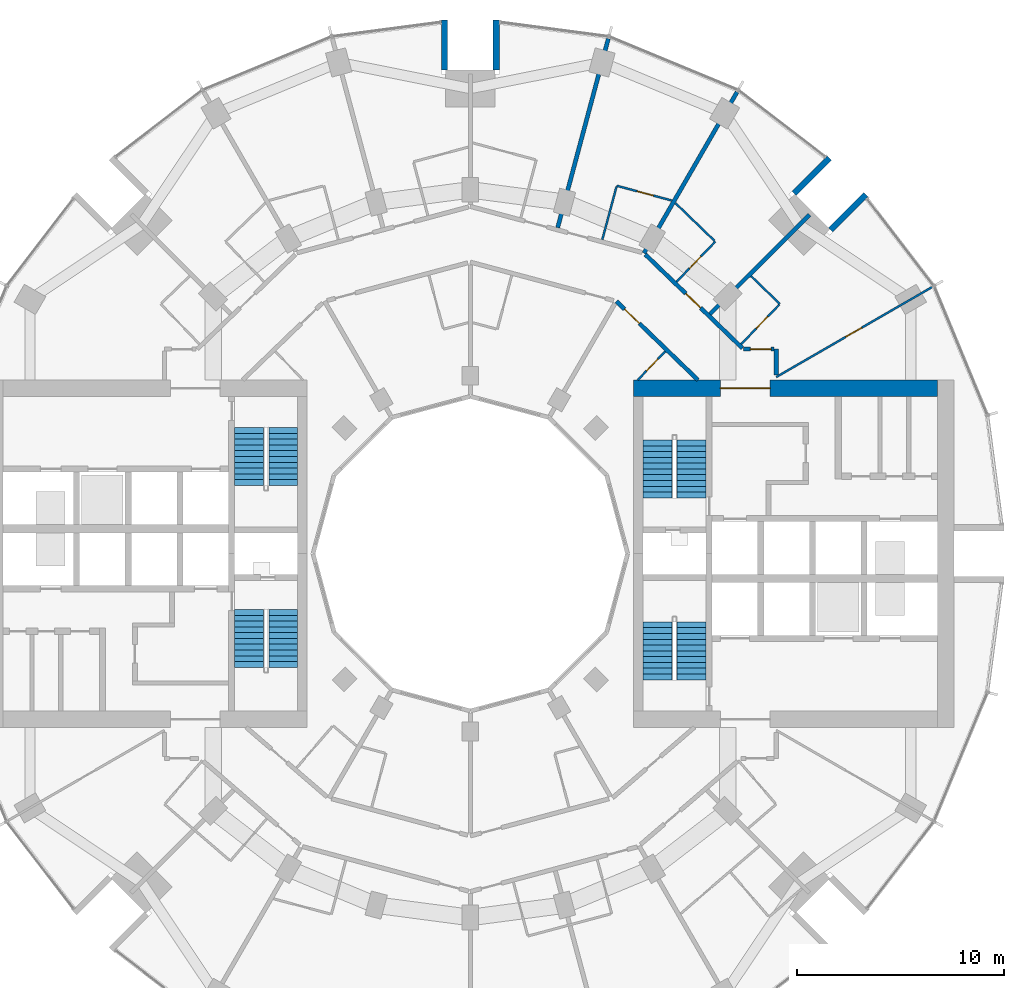
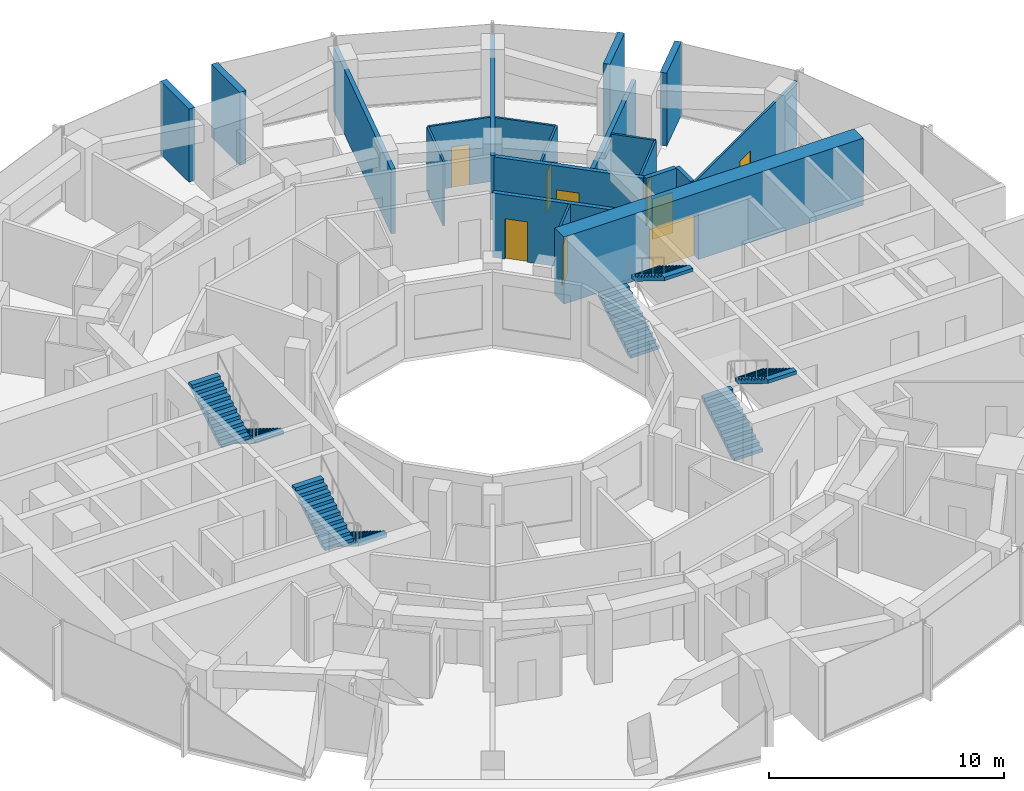
# One storey, part 13 of 15: 20 walls, 9 doors, 8 stair flights, 9 openings, 4 elements without a shape of their own.
"""IFC4 building model written with IfcOpenShell, lengths in metres."""

from ifc_helpers import new_model, si_unit, direction, frame, frame_2d, origin, place, context, subcontext, project, spatial, polyline, rectangle, outline, extrude, material, layer, layer_set, type_object, element, fill, aggregate, save


model = new_model("IFC4")

# Units and contexts
model_context = context("Model", 3, precision=1e-05, world=origin(), true_north=direction((0.0, 1.0)))
body_context = subcontext(model_context, "Body", "Model", "MODEL_VIEW")
ifc_project = project(units=[si_unit("LENGTHUNIT", "METRE"), si_unit("AREAUNIT", "SQUARE_METRE"), si_unit("VOLUMEUNIT", "CUBIC_METRE"), si_unit("PLANEANGLEUNIT", "RADIAN"), si_unit("MASSUNIT", "GRAM", prefix="KILO")], contexts=[model_context])

# Site, building, storey
site_placement = place(None, origin())
site = spatial("IfcSite", under=ifc_project, at=site_placement, CompositionType="ELEMENT")
building_placement = place(site_placement, origin())
building = spatial("IfcBuilding", under=site, at=building_placement, Name="Torre Brocal", CompositionType="ELEMENT")
storey_placement = place(building_placement, frame((0.0, 0.0, 32.60009765625)))
storey = spatial("IfcBuildingStorey", under=building, at=storey_placement, Name="L06", CompositionType="ELEMENT", Elevation=32.60009765625)

# Wall, opening, door
ifc_material_1 = material(Name="Concrete C80", Category="concrete")
ifc_layer_1 = layer(ifc_material_1, 0.800048828125)
ifc_layer_set_1 = layer_set([ifc_layer_1], Name="Concrete C80")
wall_type_1 = type_object("IfcWallType", Name="CORE WALL 800 C80", PredefinedType="SHEAR", material=ifc_layer_set_1)
wall_1_placement = place(storey_placement, frame((87.89990234375, 83.0, 0.0), z_axis=(0.0, 0.0, 1.0), x_axis=(1.0, 0.0, 0.0)))
wall_1 = element("IfcWall", 1, at=wall_1_placement, inside=storey, type_object=wall_type_1, Name="Wall CW800-80", PredefinedType="SHEAR", context=body_context, shape_type="SweptSolid", body=[
    extrude(rectangle(XDim=14.7001953125, YDim=0.800048828125, at=frame_2d((7.35009765625, 0.0))), origin(), (0.0, 0.0, 1.0), 3.47998046875),
])
opening_1_placement = place(wall_1_placement, frame((4.199951171875, 0.0, 0.0)))
opening_1 = element("IfcOpeningElement", 2, at=opening_1_placement, cuts=wall_1, Name="Opening E-D27", PredefinedType="OPENING", context=body_context, shape_type="SweptSolid", body=[
    extrude(rectangle(XDim=2.39990234375, YDim=2.39990234375, at=frame_2d((1.199951171875, 1.199951171875))), frame((0.0, 0.409912109375, 0.0), z_axis=(0.0, -1.0, 0.0), x_axis=(1.0, 0.0, 0.0)), (0.0, 0.0, 1.0), 0.820068359375),
])
ifc_material_2 = material(Name="Steel A653", Category="steel")
door_type_1 = type_object("IfcDoorType", Name="DOUBLE FIRE DOOR FD90 2400X2400", OperationType="DOUBLE_DOOR_SINGLE_SWING", PredefinedType="DOOR", material=ifc_material_2)
door_1_placement = place(opening_1_placement, frame((2.39990234375, 0.0, 0.0), z_axis=(0.0, 0.0, 1.0), x_axis=(-1.0, 0.0, 0.0)))
door_1 = element("IfcDoor", 3, at=door_1_placement, inside=storey, type_object=door_type_1, Name="Door E-D27", OperationType="DOUBLE_DOOR_SINGLE_SWING", OverallHeight=2.39990234375, OverallWidth=2.39990234375, PredefinedType="DOOR", context=body_context, shape_type="SweptSolid", body=[
    extrude(rectangle(XDim=2.39990234375, YDim=2.39990234375, at=frame_2d((1.199951171875, 1.199951171875))), frame((0.0, 0.02490234375, 0.0), z_axis=(0.0, -1.0, 0.0), x_axis=(1.0, 0.0, 0.0)), (0.0, 0.0, 1.0), 0.050048828125),
])
fill(opening_1, door_1)

# Walls
ifc_material_3 = material(Name="Concrete C80", Category="concrete")
ifc_layer_2 = layer(ifc_material_3, 0.300048828125)
ifc_layer_set_2 = layer_set([ifc_layer_2], Name="Concrete C80")
wall_type_2 = type_object("IfcWallType", Name="NOTCH RETURN WALL 300 C80", PredefinedType="NOTDEFINED", material=ifc_layer_set_2)
for number, where, z_axis, x_axis, name in (
    (4, (97.43017578125, 90.662353515625, 0.0), (0.0, 0.0, 1.0), (0.707106781187, 0.707106781187, 0.0), "NOTCH RETURN WALL"),
    (5, (95.662353515625, 92.43017578125, 0.0), (0.0, 0.0, 1.0), (0.707106781187, 0.707106781187, 0.0), "NOTCH RETURN WALL"),
    (6, (81.25, 98.39990234375, 0.0), (0.0, 0.0, 1.0), (0.0, 1.0, 0.0), "NOTCH RETURN WALL"),
    (7, (78.75, 98.39990234375, 0.0), (0.0, 0.0, 1.0), (0.0, 1.0, 0.0), "NOTCH RETURN WALL"),
):
    element("IfcWall", number, at=place(storey_placement, frame(where, z_axis=z_axis, x_axis=x_axis)), inside=storey, type_object=wall_type_2, Name=name, PredefinedType="NOTDEFINED", context=body_context, shape_type="SweptSolid", body=[
        extrude(rectangle(XDim=2.415771484375, YDim=0.300048828125, at=frame_2d((1.2080078125, 0.0))), origin(), (0.0, 0.0, 1.0), 3.7998046875),
    ])
ifc_material_4 = material(Name="Gypsum board", Category="Gypsum")
ifc_layer_3 = layer(ifc_material_4, 0.10009765625)
ifc_layer_set_3 = layer_set([ifc_layer_3], Name="Gypsum board")
wall_type_3 = type_object("IfcWallType", Name="PARTITION 100", PredefinedType="PARTITIONING", material=ifc_layer_set_3)
wall_2_placement = place(storey_placement, frame((86.3837890625, 90.189697265625, 0.0), z_axis=(0.0, 0.0, 1.0), x_axis=(0.258677737588, 0.965963678446, 0.0)))
element("IfcWall", 8, at=wall_2_placement, inside=storey, type_object=wall_type_3, Name="BATHROOM WALL", PredefinedType="PARTITIONING", context=body_context, shape_type="SweptSolid", body=[
    extrude(rectangle(XDim=2.649169921875, YDim=0.10009765625, at=frame_2d((1.32470703125, 0.0))), origin(), (0.0, 0.0, 1.0), 3.349853515625),
])

# Wall, opening, door
wall_3_placement = place(storey_placement, frame((87.08203125, 92.797119140625, 0.0), z_axis=(0.0, 0.0, 1.0), x_axis=(0.965926679745, -0.258815859939, 0.0)))
wall_3 = element("IfcWall", 9, at=wall_3_placement, inside=storey, type_object=wall_type_3, Name="BATHROOM WALL", PredefinedType="PARTITIONING", context=body_context, shape_type="SweptSolid", body=[
    extrude(rectangle(XDim=2.75341796875, YDim=0.10009765625, at=frame_2d((1.376708984375, 0.0))), origin(), (0.0, 0.0, 1.0), 3.349853515625),
])
opening_2_placement = place(wall_3_placement, frame((1.03173828125, 0.0, 0.0)))
opening_2 = element("IfcOpeningElement", 10, at=opening_2_placement, cuts=wall_3, Name="Opening H01-D07", PredefinedType="OPENING", context=body_context, shape_type="SweptSolid", body=[
    extrude(rectangle(XDim=0.800048828125, YDim=2.10009765625, at=frame_2d((0.39990234375, 1.050048828125))), frame((0.0, 0.06005859375, 0.0), z_axis=(0.0, -1.0, 0.0), x_axis=(1.0, 0.0, 0.0)), (0.0, 0.0, 1.0), 0.1201171875),
])
ifc_material_5 = material(Name="Timber", Category="wood")
door_type_2 = type_object("IfcDoorType", Name="BATHROOM DOOR 800X2100", OperationType="SINGLE_SWING_LEFT", PredefinedType="DOOR", material=ifc_material_5)
door_2_placement = place(opening_2_placement, frame((0.800048828125, 0.0, 0.0), z_axis=(0.0, 0.0, 1.0), x_axis=(-1.0, 0.0, 0.0)))
door_2 = element("IfcDoor", 11, at=door_2_placement, inside=storey, type_object=door_type_2, Name="H01-D07", OperationType="SINGLE_SWING_LEFT", OverallHeight=2.10009765625, OverallWidth=0.800048828125, PredefinedType="DOOR", context=body_context, shape_type="SweptSolid", body=[
    extrude(rectangle(XDim=0.800048828125, YDim=2.10009765625, at=frame_2d((0.39990234375, 1.050048828125))), frame((0.0, 0.02490234375, 0.0), z_axis=(0.0, -1.0, 0.0), x_axis=(1.0, 0.0, 0.0)), (0.0, 0.0, 1.0), 0.050048828125),
])
fill(opening_2, door_2)

wall_4_placement = place(storey_placement, frame((88.094970703125, 83.39990234375, 0.0), z_axis=(0.0, 0.0, 1.0), x_axis=(0.694447472534, 0.719543402368, 0.0)))
wall_4 = element("IfcWall", 12, at=wall_4_placement, inside=storey, type_object=wall_type_3, Name="BATHROOM WALL", PredefinedType="PARTITIONING", context=body_context, shape_type="SweptSolid", body=[
    extrude(rectangle(XDim=1.92626953125, YDim=0.10009765625, at=frame_2d((0.963134765625, 0.0))), origin(), (0.0, 0.0, 1.0), 3.349853515625),
])
opening_3_placement = place(wall_4_placement, frame((0.613037109375, 0.0, 0.0)))
opening_3 = element("IfcOpeningElement", 13, at=opening_3_placement, cuts=wall_4, Name="Opening H01-D19", PredefinedType="OPENING", context=body_context, shape_type="SweptSolid", body=[
    extrude(rectangle(XDim=0.800048828125, YDim=2.10009765625, at=frame_2d((0.39990234375, 1.050048828125))), frame((0.0, 0.06005859375, 0.0), z_axis=(0.0, -1.0, 0.0), x_axis=(1.0, 0.0, 0.0)), (0.0, 0.0, 1.0), 0.1201171875),
])
door_3_placement = place(opening_3_placement, frame((0.800048828125, 0.0, 0.0), z_axis=(0.0, 0.0, 1.0), x_axis=(-1.0, 0.0, 0.0)))
door_3 = element("IfcDoor", 14, at=door_3_placement, inside=storey, type_object=door_type_2, Name="H01-D19", OperationType="SINGLE_SWING_LEFT", OverallHeight=2.10009765625, OverallWidth=0.800048828125, PredefinedType="DOOR", context=body_context, shape_type="SweptSolid", body=[
    extrude(rectangle(XDim=0.800048828125, YDim=2.10009765625, at=frame_2d((0.39990234375, 1.050048828125))), frame((0.0, 0.02490234375, 0.0), z_axis=(0.0, -1.0, 0.0), x_axis=(1.0, 0.0, 0.0)), (0.0, 0.0, 1.0), 0.050048828125),
])
fill(opening_3, door_3)

# Wall
wall_5_placement = place(storey_placement, frame((89.9248046875, 91.955810546875, 0.0), z_axis=(0.0, 0.0, 1.0), x_axis=(0.71935982196, -0.694637636865, 0.0)))
element("IfcWall", 15, at=wall_5_placement, inside=storey, type_object=wall_type_3, Name="BATHROOM WALL", PredefinedType="PARTITIONING", context=body_context, shape_type="SweptSolid", body=[
    extrude(rectangle(XDim=2.626953125, YDim=0.10009765625, at=frame_2d((1.3134765625, 0.0))), origin(), (0.0, 0.0, 1.0), 3.349853515625),
])

# Wall, opening, door
wall_6_placement = place(storey_placement, frame((89.9755859375, 88.154052734375, 0.0), z_axis=(0.0, 0.0, 1.0), x_axis=(0.6945137956, 0.719479386585, 0.0)))
wall_6 = element("IfcWall", 16, at=wall_6_placement, inside=storey, type_object=wall_type_3, Name="BATHROOM WALL", PredefinedType="PARTITIONING", context=body_context, shape_type="SweptSolid", body=[
    extrude(rectangle(XDim=2.698974609375, YDim=0.10009765625, at=frame_2d((1.349609375, 0.0))), origin(), (0.0, 0.0, 1.0), 3.349853515625),
])
opening_4_placement = place(wall_6_placement, frame((0.899658203125, 0.0, 0.0)))
opening_4 = element("IfcOpeningElement", 17, at=opening_4_placement, cuts=wall_6, Name="Opening H01-D05", PredefinedType="OPENING", context=body_context, shape_type="SweptSolid", body=[
    extrude(rectangle(XDim=0.800048828125, YDim=2.10009765625, at=frame_2d((0.39990234375, 1.050048828125))), frame((0.0, 0.06005859375, 0.0), z_axis=(0.0, -1.0, 0.0), x_axis=(1.0, 0.0, 0.0)), (0.0, 0.0, 1.0), 0.1201171875),
])
door_4_placement = place(opening_4_placement, origin())
door_4 = element("IfcDoor", 18, at=door_4_placement, inside=storey, type_object=door_type_2, Name="H01-D05", OperationType="SINGLE_SWING_LEFT", OverallHeight=2.10009765625, OverallWidth=0.800048828125, PredefinedType="DOOR", context=body_context, shape_type="SweptSolid", body=[
    extrude(rectangle(XDim=0.800048828125, YDim=2.10009765625, at=frame_2d((0.39990234375, 1.050048828125))), frame((0.0, 0.02490234375, 0.0), z_axis=(0.0, -1.0, 0.0), x_axis=(1.0, 0.0, 0.0)), (0.0, 0.0, 1.0), 0.050048828125),
])
fill(opening_4, door_4)

wall_7_placement = place(storey_placement, frame((93.1025390625, 85.135986328125, 0.0), z_axis=(0.0, 0.0, 1.0), x_axis=(0.694324808789, 0.719661767708, 0.0)))
wall_7 = element("IfcWall", 19, at=wall_7_placement, inside=storey, type_object=wall_type_3, Name="BATHROOM WALL", PredefinedType="PARTITIONING", context=body_context, shape_type="SweptSolid", body=[
    extrude(rectangle(XDim=2.64990234375, YDim=0.10009765625, at=frame_2d((1.324951171875, 0.0))), origin(), (0.0, 0.0, 1.0), 3.349853515625),
])
opening_5_placement = place(wall_7_placement, frame((1.0498046875, 0.0, 0.0)))
opening_5 = element("IfcOpeningElement", 20, at=opening_5_placement, cuts=wall_7, Name="Opening H01-D02", PredefinedType="OPENING", context=body_context, shape_type="SweptSolid", body=[
    extrude(rectangle(XDim=0.800048828125, YDim=2.10009765625, at=frame_2d((0.39990234375, 1.050048828125))), frame((0.0, 0.06005859375, 0.0), z_axis=(0.0, -1.0, 0.0), x_axis=(1.0, 0.0, 0.0)), (0.0, 0.0, 1.0), 0.1201171875),
])
door_5_placement = place(opening_5_placement, origin())
door_5 = element("IfcDoor", 21, at=door_5_placement, inside=storey, type_object=door_type_2, Name="H01-D02", OperationType="SINGLE_SWING_RIGHT", OverallHeight=2.10009765625, OverallWidth=0.800048828125, PredefinedType="DOOR", context=body_context, shape_type="SweptSolid", body=[
    extrude(rectangle(XDim=0.800048828125, YDim=2.10009765625, at=frame_2d((0.39990234375, 1.050048828125))), frame((0.0, 0.02490234375, 0.0), z_axis=(0.0, -1.0, 0.0), x_axis=(1.0, 0.0, 0.0)), (0.0, 0.0, 1.0), 0.050048828125),
])
fill(opening_5, door_5)

# Wall
wall_8_placement = place(storey_placement, frame((93.5810546875, 88.425048828125, 0.0), z_axis=(0.0, 0.0, 1.0), x_axis=(0.719336381931, -0.694661910307, 0.0)))
element("IfcWall", 22, at=wall_8_placement, inside=storey, type_object=wall_type_3, Name="BATHROOM WALL", PredefinedType="PARTITIONING", context=body_context, shape_type="SweptSolid", body=[
    extrude(rectangle(XDim=1.939208984375, YDim=0.10009765625, at=frame_2d((0.9697265625, 0.0))), origin(), (0.0, 0.0, 1.0), 3.349853515625),
])

# Wall, opening, door
wall_9_placement = place(storey_placement, frame((94.800048828125, 83.544921875, 0.0), z_axis=(0.0, 0.0, 1.0), x_axis=(0.86602264145, 0.500004784474, 0.0)))
wall_9 = element("IfcWall", 23, at=wall_9_placement, inside=storey, type_object=wall_type_3, Name="ROOM PARTITION", PredefinedType="PARTITIONING", context=body_context, shape_type="SweptSolid", body=[
    extrude(rectangle(XDim=8.7080078125, YDim=0.10009765625, at=frame_2d((4.35400390625, 0.0))), origin(), (0.0, 0.0, 1.0), 3.349853515625),
])
opening_6_placement = place(wall_9_placement, frame((3.87890625, 0.0, 0.0)))
opening_6 = element("IfcOpeningElement", 24, at=opening_6_placement, cuts=wall_9, Name="Opening H01-D03", PredefinedType="OPENING", context=body_context, shape_type="SweptSolid", body=[
    extrude(rectangle(XDim=0.89990234375, YDim=2.10009765625, at=frame_2d((0.449951171875, 1.050048828125))), frame((0.0, 0.06005859375, 0.0), z_axis=(0.0, -1.0, 0.0), x_axis=(1.0, 0.0, 0.0)), (0.0, 0.0, 1.0), 0.1201171875),
])
ifc_material_6 = material(Name="Timber", Category="wood")
door_type_3 = type_object("IfcDoorType", Name="ROOM DOOR 900X2100", OperationType="SINGLE_SWING_LEFT", PredefinedType="DOOR", material=ifc_material_6)
door_6_placement = place(opening_6_placement, frame((0.89990234375, 0.0, 0.0), z_axis=(0.0, 0.0, 1.0), x_axis=(-1.0, 0.0, 0.0)))
door_6 = element("IfcDoor", 25, at=door_6_placement, inside=storey, type_object=door_type_3, Name="H01-D03", OperationType="SINGLE_SWING_RIGHT", OverallHeight=2.10009765625, OverallWidth=0.89990234375, PredefinedType="DOOR", context=body_context, shape_type="SweptSolid", body=[
    extrude(rectangle(XDim=0.89990234375, YDim=2.10009765625, at=frame_2d((0.449951171875, 1.050048828125))), frame((0.0, 0.02490234375, 0.0), z_axis=(0.0, -1.0, 0.0), x_axis=(1.0, 0.0, 0.0)), (0.0, 0.0, 1.0), 0.050048828125),
])
fill(opening_6, door_6)

# Wall
ifc_material_7 = material(Name="Gypsum board", Category="Gypsum")
ifc_layer_4 = layer(ifc_material_7, 0.199951171875)
ifc_layer_set_4 = layer_set([ifc_layer_4], Name="Gypsum board")
wall_type_4 = type_object("IfcWallType", Name="PARTITION 200 EI60", PredefinedType="PARTITIONING", material=ifc_layer_set_4)
wall_10_placement = place(storey_placement, frame((84.224853515625, 90.767578125, 0.0), z_axis=(0.0, 0.0, 1.0), x_axis=(0.258817230439, 0.965926312525, 0.0)))
element("IfcWall", 26, at=wall_10_placement, inside=storey, type_object=wall_type_4, Name="PARTY PARTITION", PredefinedType="PARTITIONING", context=body_context, shape_type="SweptSolid", body=[
    extrude(rectangle(XDim=9.474365234375, YDim=0.199951171875, at=frame_2d((4.7373046875, 0.0))), origin(), (0.0, 0.0, 1.0), 3.349853515625),
])

# Wall, opening, door
wall_11_placement = place(storey_placement, frame((87.06396484375, 87.2109375, 0.0), z_axis=(0.0, 0.0, 1.0), x_axis=(0.719540958932, -0.694450004262, 0.0)))
wall_11 = element("IfcWall", 27, at=wall_11_placement, inside=storey, type_object=wall_type_4, Name="GUESTROOM CORRIDOR WALL", PredefinedType="PARTITIONING", context=body_context, shape_type="SweptSolid", body=[
    extrude(rectangle(XDim=5.48779296875, YDim=0.199951171875, at=frame_2d((2.743896484375, 0.0))), origin(), (0.0, 0.0, 1.0), 3.349853515625),
])
opening_7_placement = place(wall_11_placement, frame((0.550048828125, 0.0, 0.0)))
opening_7 = element("IfcOpeningElement", 28, at=opening_7_placement, cuts=wall_11, Name="Opening H01-D18", PredefinedType="OPENING", context=body_context, shape_type="SweptSolid", body=[
    extrude(rectangle(XDim=1.0, YDim=2.10009765625, at=frame_2d((0.5, 1.050048828125))), frame((0.0, 0.10986328125, 0.0), z_axis=(0.0, -1.0, 0.0), x_axis=(1.0, 0.0, 0.0)), (0.0, 0.0, 1.0), 0.219970703125),
])
ifc_material_8 = material(Name="Timber", Category="wood")
door_type_4 = type_object("IfcDoorType", Name="FLAT ENTRY DOOR FD30S 1000X2100", OperationType="SINGLE_SWING_RIGHT", PredefinedType="DOOR", material=ifc_material_8)
door_7_placement = place(opening_7_placement, frame((1.0, 0.0, 0.0), z_axis=(0.0, 0.0, 1.0), x_axis=(-1.0, 0.0, 0.0)))
door_7 = element("IfcDoor", 29, at=door_7_placement, inside=storey, type_object=door_type_4, Name="H01-D18", OperationType="SINGLE_SWING_RIGHT", OverallHeight=2.10009765625, OverallWidth=1.0, PredefinedType="DOOR", context=body_context, shape_type="SweptSolid", body=[
    extrude(rectangle(XDim=1.0, YDim=2.10009765625, at=frame_2d((0.5, 1.050048828125))), frame((0.0, 0.02490234375, 0.0), z_axis=(0.0, -1.0, 0.0), x_axis=(1.0, 0.0, 0.0)), (0.0, 0.0, 1.0), 0.050048828125),
])
fill(opening_7, door_7)

wall_12_placement = place(storey_placement, frame((88.46533203125, 89.472900390625, 0.0), z_axis=(0.0, 0.0, 1.0), x_axis=(0.719457552421, -0.694536413922, 0.0)))
wall_12 = element("IfcWall", 30, at=wall_12_placement, inside=storey, type_object=wall_type_4, Name="GUESTROOM CORRIDOR WALL", PredefinedType="PARTITIONING", context=body_context, shape_type="SweptSolid", body=[
    extrude(rectangle(XDim=6.5244140625, YDim=0.199951171875, at=frame_2d((3.26220703125, 0.0))), origin(), (0.0, 0.0, 1.0), 3.349853515625),
])
opening_8_placement = place(wall_12_placement, frame((2.718505859375, 0.0, 0.0)))
opening_8 = element("IfcOpeningElement", 31, at=opening_8_placement, cuts=wall_12, Name="Opening H01-D04", PredefinedType="OPENING", context=body_context, shape_type="SweptSolid", body=[
    extrude(rectangle(XDim=1.0, YDim=2.10009765625, at=frame_2d((0.5, 1.050048828125))), frame((0.0, 0.10986328125, 0.0), z_axis=(0.0, -1.0, 0.0), x_axis=(1.0, 0.0, 0.0)), (0.0, 0.0, 1.0), 0.219970703125),
])
door_8_placement = place(opening_8_placement, origin())
door_8 = element("IfcDoor", 32, at=door_8_placement, inside=storey, type_object=door_type_4, Name="H01-D04", OperationType="SINGLE_SWING_RIGHT", OverallHeight=2.10009765625, OverallWidth=1.0, PredefinedType="DOOR", context=body_context, shape_type="SweptSolid", body=[
    extrude(rectangle(XDim=1.0, YDim=2.10009765625, at=frame_2d((0.5, 1.050048828125))), frame((0.0, 0.02490234375, 0.0), z_axis=(0.0, -1.0, 0.0), x_axis=(1.0, 0.0, 0.0)), (0.0, 0.0, 1.0), 0.050048828125),
])
fill(opening_8, door_8)

# Walls
wall_13_placement = place(storey_placement, frame((88.39990234375, 89.53759765625, 0.0), z_axis=(0.0, 0.0, 1.0), x_axis=(0.5002401188, 0.865886726739, 0.0)))
element("IfcWall", 33, at=wall_13_placement, inside=storey, type_object=wall_type_4, Name="BATHROOM WALL", PredefinedType="PARTITIONING", context=body_context, shape_type="SweptSolid", body=[
    extrude(rectangle(XDim=9.0078125, YDim=0.199951171875, at=frame_2d((4.50390625, 0.0))), origin(), (0.0, 0.0, 1.0), 3.349853515625),
])
wall_14_placement = place(storey_placement, frame((91.594482421875, 86.59130859375, 0.0), z_axis=(0.0, 0.0, 1.0), x_axis=(0.707214399597, 0.706999146394, 0.0)))
element("IfcWall", 34, at=wall_14_placement, inside=storey, type_object=wall_type_4, Name="BATHROOM WALL", PredefinedType="PARTITIONING", context=body_context, shape_type="SweptSolid", body=[
    extrude(rectangle(XDim=6.80517578125, YDim=0.199951171875, at=frame_2d((3.402587890625, 0.0))), origin(), (0.0, 0.0, 1.0), 3.349853515625),
])

# Wall, opening, door
wall_15_placement = place(storey_placement, frame((93.202880859375, 84.89990234375, 0.0), z_axis=(0.0, 0.0, 1.0), x_axis=(1.0, 0.0, 0.0)))
wall_15 = element("IfcWall", 35, at=wall_15_placement, inside=storey, type_object=wall_type_4, Name="GUESTROOM CORRIDOR WALL", PredefinedType="PARTITIONING", context=body_context, shape_type="SweptSolid", body=[
    extrude(rectangle(XDim=1.4970703125, YDim=0.199951171875, at=frame_2d((0.74853515625, 0.0))), origin(), (0.0, 0.0, 1.0), 3.349853515625),
])
opening_9_placement = place(wall_15_placement, frame((0.346923828125, 0.0, 0.0)))
opening_9 = element("IfcOpeningElement", 36, at=opening_9_placement, cuts=wall_15, Name="Opening H01-D01", PredefinedType="OPENING", context=body_context, shape_type="SweptSolid", body=[
    extrude(rectangle(XDim=1.0, YDim=2.10009765625, at=frame_2d((0.5, 1.050048828125))), frame((0.0, 0.10986328125, 0.0), z_axis=(0.0, -1.0, 0.0), x_axis=(1.0, 0.0, 0.0)), (0.0, 0.0, 1.0), 0.219970703125),
])
door_9_placement = place(opening_9_placement, origin())
door_9 = element("IfcDoor", 37, at=door_9_placement, inside=storey, type_object=door_type_4, Name="H01-D01", OperationType="SINGLE_SWING_RIGHT", OverallHeight=2.10009765625, OverallWidth=1.0, PredefinedType="DOOR", context=body_context, shape_type="SweptSolid", body=[
    extrude(rectangle(XDim=1.0, YDim=2.10009765625, at=frame_2d((0.5, 1.050048828125))), frame((0.0, 0.02490234375, 0.0), z_axis=(0.0, -1.0, 0.0), x_axis=(1.0, 0.0, 0.0)), (0.0, 0.0, 1.0), 0.050048828125),
])
fill(opening_9, door_9)

# Wall
wall_16_placement = place(storey_placement, frame((94.800048828125, 83.64990234375, 0.0), z_axis=(0.0, 0.0, 1.0), x_axis=(0.0, 1.0, 0.0)))
element("IfcWall", 38, at=wall_16_placement, inside=storey, type_object=wall_type_4, Name="GUESTROOM CORRIDOR WALL", PredefinedType="PARTITIONING", context=body_context, shape_type="SweptSolid", body=[
    extrude(rectangle(XDim=1.25, YDim=0.199951171875, at=frame_2d((0.625, 0.0))), origin(), (0.0, 0.0, 1.0), 3.349853515625),
])

# Stair, stair flights
ifc_material_9 = material(Name="Concrete C50", Category="concrete")
stair_type = type_object("IfcStairType", Name="EXIT STAIR", PredefinedType="HALF_TURN_STAIR", material=ifc_material_9)
stair_1_placement = place(storey_placement, origin())
stair_1 = element("IfcStair", 39, at=stair_1_placement, inside=storey, type_object=stair_type, Name="EXIT STAIR ST1", PredefinedType="HALF_TURN_STAIR")
ifc_material_10 = material(Name="Concrete C50", Category="concrete")
ifc_layer_5 = layer(ifc_material_10, 0.14990234375)
ifc_layer_set_5 = layer_set([ifc_layer_5], Name="Concrete C50")
stair_flight_type = type_object("IfcStairFlightType", Name="STAIR FLIGHT", PredefinedType="STRAIGHT", material=ifc_layer_set_5)
stair_flight_1_placement = place(storey_placement, frame((89.050048828125, 77.699951171875, 0.0), z_axis=(0.0, 0.0, 1.0), x_axis=(0.0, 1.0, 0.0)))
stair_flight_1 = element("IfcStairFlight", 40, at=stair_flight_1_placement, type_object=stair_flight_type, Name="ST1 flight 1", NumberOfRisers=11, NumberOfTreads=10, PredefinedType="STRAIGHT", RiserHeight=0.172727273, TreadLength=0.28, context=body_context, shape_type="SweptSolid", body=[
    extrude(outline(polyline([(0.0, 0.0), (0.0, 0.172607421875), (0.280029296875, 0.172607421875), (0.280029296875, 0.345458984375), (0.56005859375, 0.345458984375), (0.56005859375, 0.51806640625), (0.840087890625, 0.51806640625), (0.840087890625, 0.69091796875), (1.1201171875, 0.69091796875), (1.1201171875, 0.863525390625), (1.39990234375, 0.863525390625), (1.39990234375, 1.036376953125), (1.679931640625, 1.036376953125), (1.679931640625, 1.208984375), (1.9599609375, 1.208984375), (1.9599609375, 1.3818359375), (2.239990234375, 1.3818359375), (2.239990234375, 1.554443359375), (2.52001953125, 1.554443359375), (2.52001953125, 1.727294921875), (2.800048828125, 1.727294921875), (2.800048828125, 1.89990234375), (2.800048828125, 1.551025390625), (0.285400390625, 0.0), (0.0, 0.0)])), frame((0.0, 0.699951171875, 0.0), z_axis=(0.0, -1.0, 0.0), x_axis=(1.0, 0.0, 0.0)), (0.0, 0.0, 1.0), 1.39990234375),
])
stair_flight_2_placement = place(storey_placement, frame((90.699951171875, 80.5, 1.89990234375), z_axis=(0.0, 0.0, 1.0), x_axis=(0.0, -1.0, 0.0)))
stair_flight_2 = element("IfcStairFlight", 41, at=stair_flight_2_placement, type_object=stair_flight_type, Name="ST1 flight 2", NumberOfRisers=11, NumberOfTreads=10, PredefinedType="STRAIGHT", RiserHeight=0.172727273, TreadLength=0.28, context=body_context, shape_type="SweptSolid", body=[
    extrude(outline(polyline([(0.0, 0.0), (0.0, 0.172607421875), (0.280029296875, 0.172607421875), (0.280029296875, 0.345458984375), (0.56005859375, 0.345458984375), (0.56005859375, 0.51806640625), (0.840087890625, 0.51806640625), (0.840087890625, 0.69091796875), (1.1201171875, 0.69091796875), (1.1201171875, 0.863525390625), (1.39990234375, 0.863525390625), (1.39990234375, 1.036376953125), (1.679931640625, 1.036376953125), (1.679931640625, 1.208984375), (1.9599609375, 1.208984375), (1.9599609375, 1.3818359375), (2.239990234375, 1.3818359375), (2.239990234375, 1.554443359375), (2.52001953125, 1.554443359375), (2.52001953125, 1.727294921875), (2.800048828125, 1.727294921875), (2.800048828125, 1.89990234375), (2.800048828125, 1.551025390625), (0.285400390625, 0.0), (0.0, 0.0)])), frame((0.0, 0.699951171875, 0.0), z_axis=(0.0, -1.0, 0.0), x_axis=(1.0, 0.0, 0.0)), (0.0, 0.0, 1.0), 1.39990234375),
])
aggregate(stair_1, [stair_flight_1, stair_flight_2])

stair_2_placement = place(storey_placement, origin())
stair_2 = element("IfcStair", 42, at=stair_2_placement, inside=storey, type_object=stair_type, Name="EXIT STAIR ST2", PredefinedType="HALF_TURN_STAIR")
stair_flight_3_placement = place(storey_placement, frame((89.050048828125, 68.89990234375, 0.0), z_axis=(0.0, 0.0, 1.0), x_axis=(0.0, 1.0, 0.0)))
stair_flight_3 = element("IfcStairFlight", 43, at=stair_flight_3_placement, type_object=stair_flight_type, Name="ST2 flight 1", NumberOfRisers=11, NumberOfTreads=10, PredefinedType="STRAIGHT", RiserHeight=0.172727273, TreadLength=0.28, context=body_context, shape_type="SweptSolid", body=[
    extrude(outline(polyline([(0.0, 0.0), (0.0, 0.172607421875), (0.280029296875, 0.172607421875), (0.280029296875, 0.345458984375), (0.56005859375, 0.345458984375), (0.56005859375, 0.51806640625), (0.840087890625, 0.51806640625), (0.840087890625, 0.69091796875), (1.1201171875, 0.69091796875), (1.1201171875, 0.863525390625), (1.39990234375, 0.863525390625), (1.39990234375, 1.036376953125), (1.679931640625, 1.036376953125), (1.679931640625, 1.208984375), (1.9599609375, 1.208984375), (1.9599609375, 1.3818359375), (2.239990234375, 1.3818359375), (2.239990234375, 1.554443359375), (2.52001953125, 1.554443359375), (2.52001953125, 1.727294921875), (2.800048828125, 1.727294921875), (2.800048828125, 1.89990234375), (2.800048828125, 1.551025390625), (0.285400390625, 0.0), (0.0, 0.0)])), frame((0.0, 0.699951171875, 0.0), z_axis=(0.0, -1.0, 0.0), x_axis=(1.0, 0.0, 0.0)), (0.0, 0.0, 1.0), 1.39990234375),
])
stair_flight_4_placement = place(storey_placement, frame((90.699951171875, 71.699951171875, 1.89990234375), z_axis=(0.0, 0.0, 1.0), x_axis=(0.0, -1.0, 0.0)))
stair_flight_4 = element("IfcStairFlight", 44, at=stair_flight_4_placement, type_object=stair_flight_type, Name="ST2 flight 2", NumberOfRisers=11, NumberOfTreads=10, PredefinedType="STRAIGHT", RiserHeight=0.172727273, TreadLength=0.28, context=body_context, shape_type="SweptSolid", body=[
    extrude(outline(polyline([(0.0, 0.0), (0.0, 0.172607421875), (0.280029296875, 0.172607421875), (0.280029296875, 0.345458984375), (0.56005859375, 0.345458984375), (0.56005859375, 0.51806640625), (0.840087890625, 0.51806640625), (0.840087890625, 0.69091796875), (1.1201171875, 0.69091796875), (1.1201171875, 0.863525390625), (1.39990234375, 0.863525390625), (1.39990234375, 1.036376953125), (1.679931640625, 1.036376953125), (1.679931640625, 1.208984375), (1.9599609375, 1.208984375), (1.9599609375, 1.3818359375), (2.239990234375, 1.3818359375), (2.239990234375, 1.554443359375), (2.52001953125, 1.554443359375), (2.52001953125, 1.727294921875), (2.800048828125, 1.727294921875), (2.800048828125, 1.89990234375), (2.800048828125, 1.551025390625), (0.285400390625, 0.0), (0.0, 0.0)])), frame((0.0, 0.699951171875, 0.0), z_axis=(0.0, -1.0, 0.0), x_axis=(1.0, 0.0, 0.0)), (0.0, 0.0, 1.0), 1.39990234375),
])
aggregate(stair_2, [stair_flight_3, stair_flight_4])

stair_3_placement = place(storey_placement, origin())
stair_3 = element("IfcStair", 45, at=stair_3_placement, inside=storey, type_object=stair_type, Name="EXIT STAIR ST3", PredefinedType="HALF_TURN_STAIR")
stair_flight_5_placement = place(storey_placement, frame((70.949951171875, 72.300048828125, 0.0), z_axis=(0.0, 0.0, 1.0), x_axis=(0.0, -1.0, 0.0)))
stair_flight_5 = element("IfcStairFlight", 46, at=stair_flight_5_placement, type_object=stair_flight_type, Name="ST3 flight 1", NumberOfRisers=11, NumberOfTreads=10, PredefinedType="STRAIGHT", RiserHeight=0.172727273, TreadLength=0.28, context=body_context, shape_type="SweptSolid", body=[
    extrude(outline(polyline([(0.0, 0.0), (0.0, 0.172607421875), (0.280029296875, 0.172607421875), (0.280029296875, 0.345458984375), (0.56005859375, 0.345458984375), (0.56005859375, 0.51806640625), (0.840087890625, 0.51806640625), (0.840087890625, 0.69091796875), (1.1201171875, 0.69091796875), (1.1201171875, 0.863525390625), (1.39990234375, 0.863525390625), (1.39990234375, 1.036376953125), (1.679931640625, 1.036376953125), (1.679931640625, 1.208984375), (1.9599609375, 1.208984375), (1.9599609375, 1.3818359375), (2.239990234375, 1.3818359375), (2.239990234375, 1.554443359375), (2.52001953125, 1.554443359375), (2.52001953125, 1.727294921875), (2.800048828125, 1.727294921875), (2.800048828125, 1.89990234375), (2.800048828125, 1.551025390625), (0.285400390625, 0.0), (0.0, 0.0)])), frame((0.0, 0.699951171875, 0.0), z_axis=(0.0, -1.0, 0.0), x_axis=(1.0, 0.0, 0.0)), (0.0, 0.0, 1.0), 1.39990234375),
])
stair_flight_6_placement = place(storey_placement, frame((69.300048828125, 69.5, 1.89990234375), z_axis=(0.0, 0.0, 1.0), x_axis=(0.0, 1.0, 0.0)))
stair_flight_6 = element("IfcStairFlight", 47, at=stair_flight_6_placement, type_object=stair_flight_type, Name="ST3 flight 2", NumberOfRisers=11, NumberOfTreads=10, PredefinedType="STRAIGHT", RiserHeight=0.172727273, TreadLength=0.28, context=body_context, shape_type="SweptSolid", body=[
    extrude(outline(polyline([(0.0, 0.0), (0.0, 0.172607421875), (0.280029296875, 0.172607421875), (0.280029296875, 0.345458984375), (0.56005859375, 0.345458984375), (0.56005859375, 0.51806640625), (0.840087890625, 0.51806640625), (0.840087890625, 0.69091796875), (1.1201171875, 0.69091796875), (1.1201171875, 0.863525390625), (1.39990234375, 0.863525390625), (1.39990234375, 1.036376953125), (1.679931640625, 1.036376953125), (1.679931640625, 1.208984375), (1.9599609375, 1.208984375), (1.9599609375, 1.3818359375), (2.239990234375, 1.3818359375), (2.239990234375, 1.554443359375), (2.52001953125, 1.554443359375), (2.52001953125, 1.727294921875), (2.800048828125, 1.727294921875), (2.800048828125, 1.89990234375), (2.800048828125, 1.551025390625), (0.285400390625, 0.0), (0.0, 0.0)])), frame((0.0, 0.699951171875, 0.0), z_axis=(0.0, -1.0, 0.0), x_axis=(1.0, 0.0, 0.0)), (0.0, 0.0, 1.0), 1.39990234375),
])
aggregate(stair_3, [stair_flight_5, stair_flight_6])

stair_4_placement = place(storey_placement, origin())
stair_4 = element("IfcStair", 48, at=stair_4_placement, inside=storey, type_object=stair_type, Name="EXIT STAIR ST4", PredefinedType="HALF_TURN_STAIR")
stair_flight_7_placement = place(storey_placement, frame((70.949951171875, 81.10009765625, 0.0), z_axis=(0.0, 0.0, 1.0), x_axis=(0.0, -1.0, 0.0)))
stair_flight_7 = element("IfcStairFlight", 49, at=stair_flight_7_placement, type_object=stair_flight_type, Name="ST4 flight 1", NumberOfRisers=11, NumberOfTreads=10, PredefinedType="STRAIGHT", RiserHeight=0.172727273, TreadLength=0.28, context=body_context, shape_type="SweptSolid", body=[
    extrude(outline(polyline([(0.0, 0.0), (0.0, 0.172607421875), (0.280029296875, 0.172607421875), (0.280029296875, 0.345458984375), (0.56005859375, 0.345458984375), (0.56005859375, 0.51806640625), (0.840087890625, 0.51806640625), (0.840087890625, 0.69091796875), (1.1201171875, 0.69091796875), (1.1201171875, 0.863525390625), (1.39990234375, 0.863525390625), (1.39990234375, 1.036376953125), (1.679931640625, 1.036376953125), (1.679931640625, 1.208984375), (1.9599609375, 1.208984375), (1.9599609375, 1.3818359375), (2.239990234375, 1.3818359375), (2.239990234375, 1.554443359375), (2.52001953125, 1.554443359375), (2.52001953125, 1.727294921875), (2.800048828125, 1.727294921875), (2.800048828125, 1.89990234375), (2.800048828125, 1.551025390625), (0.285400390625, 0.0), (0.0, 0.0)])), frame((0.0, 0.699951171875, 0.0), z_axis=(0.0, -1.0, 0.0), x_axis=(1.0, 0.0, 0.0)), (0.0, 0.0, 1.0), 1.39990234375),
])
stair_flight_8_placement = place(storey_placement, frame((69.300048828125, 78.300048828125, 1.89990234375), z_axis=(0.0, 0.0, 1.0), x_axis=(0.0, 1.0, 0.0)))
stair_flight_8 = element("IfcStairFlight", 50, at=stair_flight_8_placement, type_object=stair_flight_type, Name="ST4 flight 2", NumberOfRisers=11, NumberOfTreads=10, PredefinedType="STRAIGHT", RiserHeight=0.172727273, TreadLength=0.28, context=body_context, shape_type="SweptSolid", body=[
    extrude(outline(polyline([(0.0, 0.0), (0.0, 0.172607421875), (0.280029296875, 0.172607421875), (0.280029296875, 0.345458984375), (0.56005859375, 0.345458984375), (0.56005859375, 0.51806640625), (0.840087890625, 0.51806640625), (0.840087890625, 0.69091796875), (1.1201171875, 0.69091796875), (1.1201171875, 0.863525390625), (1.39990234375, 0.863525390625), (1.39990234375, 1.036376953125), (1.679931640625, 1.036376953125), (1.679931640625, 1.208984375), (1.9599609375, 1.208984375), (1.9599609375, 1.3818359375), (2.239990234375, 1.3818359375), (2.239990234375, 1.554443359375), (2.52001953125, 1.554443359375), (2.52001953125, 1.727294921875), (2.800048828125, 1.727294921875), (2.800048828125, 1.89990234375), (2.800048828125, 1.551025390625), (0.285400390625, 0.0), (0.0, 0.0)])), frame((0.0, 0.699951171875, 0.0), z_axis=(0.0, -1.0, 0.0), x_axis=(1.0, 0.0, 0.0)), (0.0, 0.0, 1.0), 1.39990234375),
])
aggregate(stair_4, [stair_flight_7, stair_flight_8])

save(model, "model.ifc")
